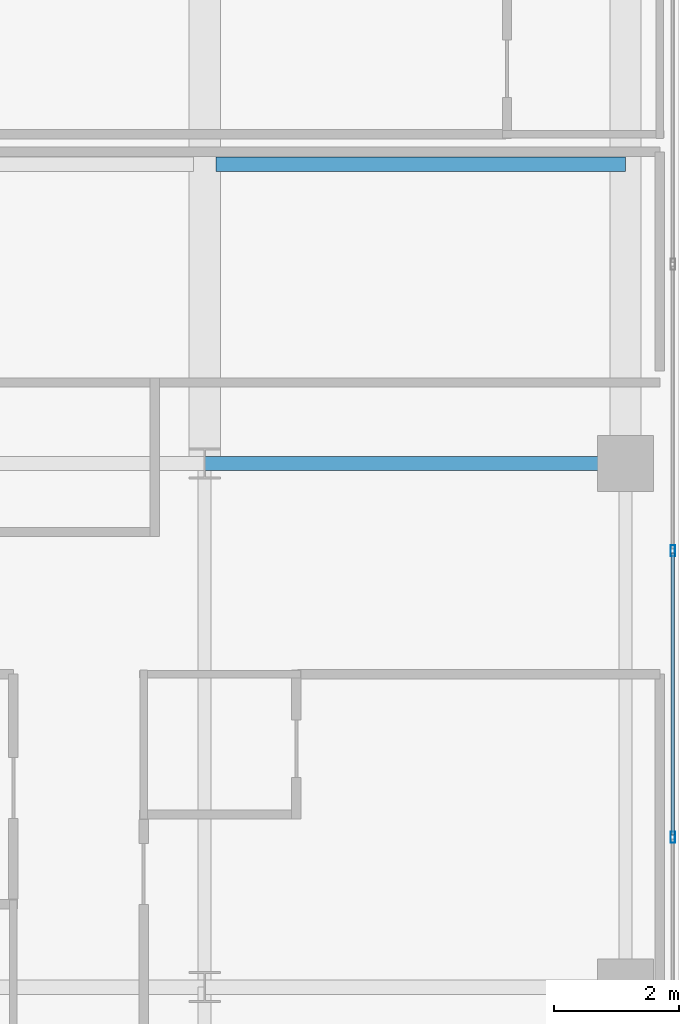
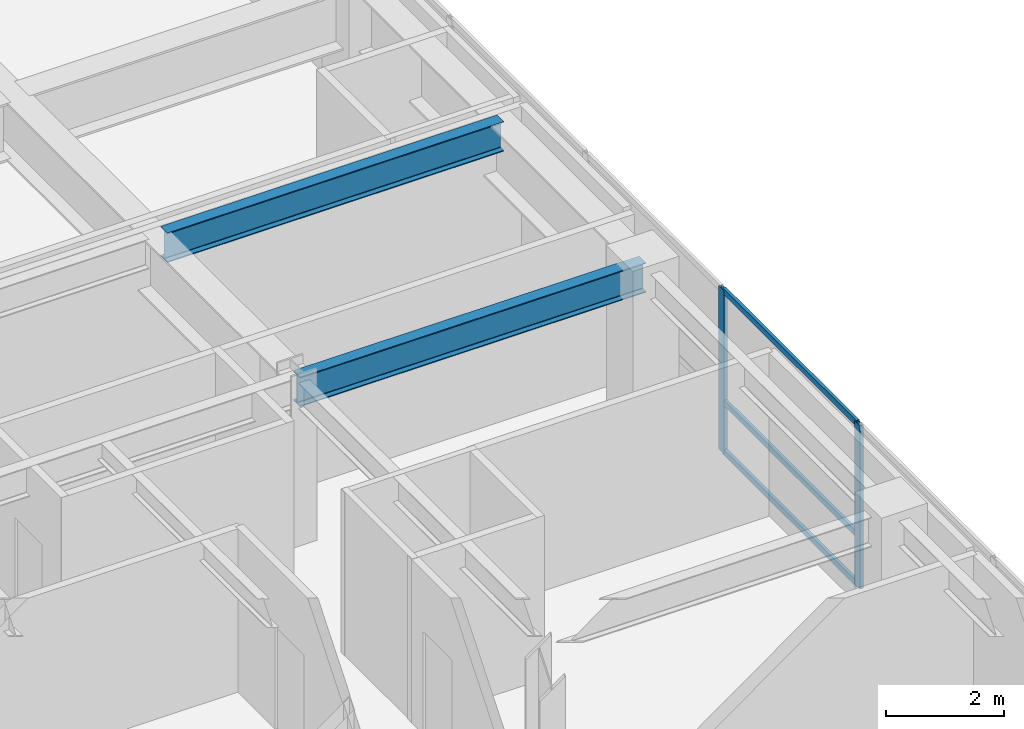
# One storey, part 11 of 25: 5 members, 2 beams, 1 element without a shape of its own.
"""IFC4 building model written with IfcOpenShell, lengths in metres."""

from ifc_helpers import new_model, si_unit, direction, frame, origin, origin_2d, place, context, subcontext, project, spatial, hollow_rectangle, i_section, extrude, source, transform, mapped, material, layer, layer_set, material_profile, profile_set, type_object, type_shapes, element, aggregate, save


model = new_model("IFC4")

# Units and contexts
model_context = context("Model", 3, precision=1e-05, world=origin(), true_north=direction((0.0, 1.0)))
body_context = subcontext(model_context, "Body", "Model", "MODEL_VIEW")
ifc_project = project(units=[si_unit("LENGTHUNIT", "METRE"), si_unit("AREAUNIT", "SQUARE_METRE"), si_unit("VOLUMEUNIT", "CUBIC_METRE"), si_unit("PLANEANGLEUNIT", "RADIAN"), si_unit("MASSUNIT", "GRAM", prefix="KILO")], contexts=[model_context])

# Site, building, storey
site_placement = place(None, origin())
site = spatial("IfcSite", under=ifc_project, at=site_placement, CompositionType="ELEMENT")
building_placement = place(site_placement, origin())
building = spatial("IfcBuilding", under=site, at=building_placement, Name="Tolvann Quenvar Hotel", CompositionType="ELEMENT")
storey_placement = place(building_placement, frame((0.0, 0.0, 78.14990234375)))
storey = spatial("IfcBuildingStorey", under=building, at=storey_placement, Name="L19", CompositionType="ELEMENT", Elevation=78.14990234375)

# Beams
ifc_material_1 = material(Name="Steel Grade 350", Category="steel")
ifc_material_profile_1 = material_profile(ifc_material_1, i_section(OverallWidth=0.22900390625, OverallDepth=0.612060546875, WebThickness=0.011962890625, FlangeThickness=0.01953125, FilletRadius=0.013916015625, at=origin_2d()), Name="610UB125")
ifc_profile_set_1 = profile_set([ifc_material_profile_1], Name="Steel Grade 350")
beam_type = type_object("IfcBeamType", Name="BM_GIRD_610UB125", PredefinedType="BEAM", material=ifc_profile_set_1)
shared_shape_1 = source(origin(), body_context, "Body", "SweptSolid", [
    extrude(i_section(OverallWidth=0.22900390625, OverallDepth=0.612060546875, WebThickness=0.011962890625, FlangeThickness=0.01953125, FilletRadius=0.013916015625, at=origin_2d()), origin(), (0.0, 0.0, 1.0), 6.75),
])
beam_1_placement = place(storey_placement, frame((49.39990234375, 24.39990234375, 3.064208984375), z_axis=(1.0, 0.0, 0.0), x_axis=(0.0, 1.0, 0.0)))
element("IfcBeam", 1, at=beam_1_placement, inside=storey, type_object=beam_type, Name="BM-L19-EW-5-I5-J5", PredefinedType="BEAM", context=body_context, shape_type="MappedRepresentation", body=[
    mapped(shared_shape_1, transform((0.0, 0.0, 0.0), x_axis=(1.0, 0.0, 0.0), y_axis=(0.0, 1.0, 0.0), z_axis=(0.0, 0.0, 1.0), scale=1.0)),
])
shared_shape_2 = source(origin(), body_context, "Body", "SweptSolid", [
    extrude(i_section(OverallWidth=0.22900390625, OverallDepth=0.612060546875, WebThickness=0.011962890625, FlangeThickness=0.01953125, FilletRadius=0.013916015625, at=origin_2d()), origin(), (0.0, 0.0, 1.0), 6.56982421875),
])
type_shapes(beam_type, [shared_shape_1, shared_shape_2])
beam_2_placement = place(storey_placement, frame((49.580078125, 29.199951171875, 3.064208984375), z_axis=(1.0, 0.0, 0.0), x_axis=(0.0, 1.0, 0.0)))
element("IfcBeam", 2, at=beam_2_placement, inside=storey, type_object=beam_type, Name="BM-L19-EW-IJ29", PredefinedType="BEAM", context=body_context, shape_type="MappedRepresentation", body=[
    mapped(shared_shape_2, transform((0.0, 0.0, 0.0), x_axis=(1.0, 0.0, 0.0), y_axis=(0.0, 1.0, 0.0), z_axis=(0.0, 0.0, 1.0), scale=1.0)),
])

# Curtain wall, members
ifc_material_2 = material(Name="Thermally broken anodised architectural aluminium 6063-T6 and laminated low-E glass", Category="aluminium")
ifc_layer = layer(ifc_material_2, 0.179931640625)
ifc_layer_set = layer_set([ifc_layer], Name="Thermally broken anodised architectural aluminium 6063-T6 and laminated low-E glass")
curtain_wall_type = type_object("IfcCurtainWallType", Name="CW_SYS_BAND_04", PredefinedType="USERDEFINED", material=ifc_layer_set)
curtain_wall_placement = place(storey_placement, origin())
curtain_wall = element("IfcCurtainWall", 3, at=curtain_wall_placement, inside=storey, type_object=curtain_wall_type, Name="Curtain Wall CW-BAND-04 (CWR-L19-E13)", ObjectType="UNITISED CURTAIN WALL", PredefinedType="USERDEFINED")
ifc_material_3 = material(Name="Anodised architectural aluminium 6063-T6 framing", Category="aluminium")
ifc_material_profile_2 = material_profile(ifc_material_3, hollow_rectangle(XDim=0.070068359375, YDim=0.179931640625, WallThickness=0.00390625, at=origin_2d()), Name="180x70x4RHS")
ifc_profile_set_2 = profile_set([ifc_material_profile_2], Name="Anodised architectural aluminium 6063-T6 framing")
member_type_1 = type_object("IfcMemberType", Name="CW_MULL_180x70", PredefinedType="MULLION", material=ifc_profile_set_2)
shared_shape_3 = source(origin(), body_context, "Body", "SweptSolid", [
    extrude(hollow_rectangle(XDim=0.070068359375, YDim=0.179931640625, WallThickness=0.00390625, at=origin_2d()), origin(), (0.0, 0.0, 1.0), 3.3701171875),
])
type_shapes(member_type_1, [shared_shape_3])
member_1_placement = place(storey_placement, frame((56.909912109375, 18.404296875, 0.0), z_axis=(0.0, 0.0, 1.0), x_axis=(-1.0, 0.0, 0.0)))
member_1 = element("IfcMember", 4, at=member_1_placement, type_object=member_type_1, Name="CW-BAND-04 mullion 4", PredefinedType="MULLION", context=body_context, shape_type="MappedRepresentation", body=[
    mapped(shared_shape_3, transform((0.0, 0.0, 0.0), x_axis=(1.0, 0.0, 0.0), y_axis=(0.0, 1.0, 0.0), z_axis=(0.0, 0.0, 1.0), scale=1.0)),
])
member_2_placement = place(storey_placement, frame((56.909912109375, 23.0, 0.0), z_axis=(0.0, 0.0, 1.0), x_axis=(-1.0, 0.0, 0.0)))
member_2 = element("IfcMember", 5, at=member_2_placement, type_object=member_type_1, Name="CW-BAND-04 mullion 5", PredefinedType="MULLION", context=body_context, shape_type="MappedRepresentation", body=[
    mapped(shared_shape_3, transform((0.0, 0.0, 0.0), x_axis=(1.0, 0.0, 0.0), y_axis=(0.0, 1.0, 0.0), z_axis=(0.0, 0.0, 1.0), scale=1.0)),
])
ifc_material_profile_3 = material_profile(ifc_material_3, hollow_rectangle(XDim=0.06005859375, YDim=0.1201171875, WallThickness=0.00341796875, at=origin_2d()), Name="120x60x3.5RHS")
ifc_profile_set_3 = profile_set([ifc_material_profile_3], Name="Anodised architectural aluminium 6063-T6 framing")
member_type_2 = type_object("IfcMemberType", Name="CW_TRAN_120x60", PredefinedType="USERDEFINED", material=ifc_profile_set_3)
shared_shape_4 = source(origin(), body_context, "Body", "SweptSolid", [
    extrude(hollow_rectangle(XDim=0.06005859375, YDim=0.1201171875, WallThickness=0.00341796875, at=origin_2d()), origin(), (0.0, 0.0, 1.0), 4.52587890625),
])
type_shapes(member_type_2, [shared_shape_4])
member_3_placement = place(storey_placement, frame((56.909912109375, 18.439208984375, 0.030029296875), z_axis=(0.0, 1.0, 0.0), x_axis=(-1.0, 0.0, 0.0)))
member_3 = element("IfcMember", 6, at=member_3_placement, type_object=member_type_2, Name="CW-BAND-04 transom 4.1", ObjectType="TRANSOM", PredefinedType="USERDEFINED", context=body_context, shape_type="MappedRepresentation", body=[
    mapped(shared_shape_4, transform((0.0, 0.0, 0.0), x_axis=(1.0, 0.0, 0.0), y_axis=(0.0, 1.0, 0.0), z_axis=(0.0, 0.0, 1.0), scale=1.0)),
])
member_4_placement = place(storey_placement, frame((56.909912109375, 18.439208984375, 1.050048828125), z_axis=(0.0, 1.0, 0.0), x_axis=(-1.0, 0.0, 0.0)))
member_4 = element("IfcMember", 7, at=member_4_placement, type_object=member_type_2, Name="CW-BAND-04 transom 4.2", ObjectType="TRANSOM", PredefinedType="USERDEFINED", context=body_context, shape_type="MappedRepresentation", body=[
    mapped(shared_shape_4, transform((0.0, 0.0, 0.0), x_axis=(1.0, 0.0, 0.0), y_axis=(0.0, 1.0, 0.0), z_axis=(0.0, 0.0, 1.0), scale=1.0)),
])
member_5_placement = place(storey_placement, frame((56.909912109375, 18.439208984375, 3.340087890625), z_axis=(0.0, 1.0, 0.0), x_axis=(-1.0, 0.0, 0.0)))
member_5 = element("IfcMember", 8, at=member_5_placement, type_object=member_type_2, Name="CW-BAND-04 transom 4.3", ObjectType="TRANSOM", PredefinedType="USERDEFINED", context=body_context, shape_type="MappedRepresentation", body=[
    mapped(shared_shape_4, transform((0.0, 0.0, 0.0), x_axis=(1.0, 0.0, 0.0), y_axis=(0.0, 1.0, 0.0), z_axis=(0.0, 0.0, 1.0), scale=1.0)),
])
aggregate(curtain_wall, [member_1, member_2, member_3, member_4, member_5])

save(model, "model.ifc")
